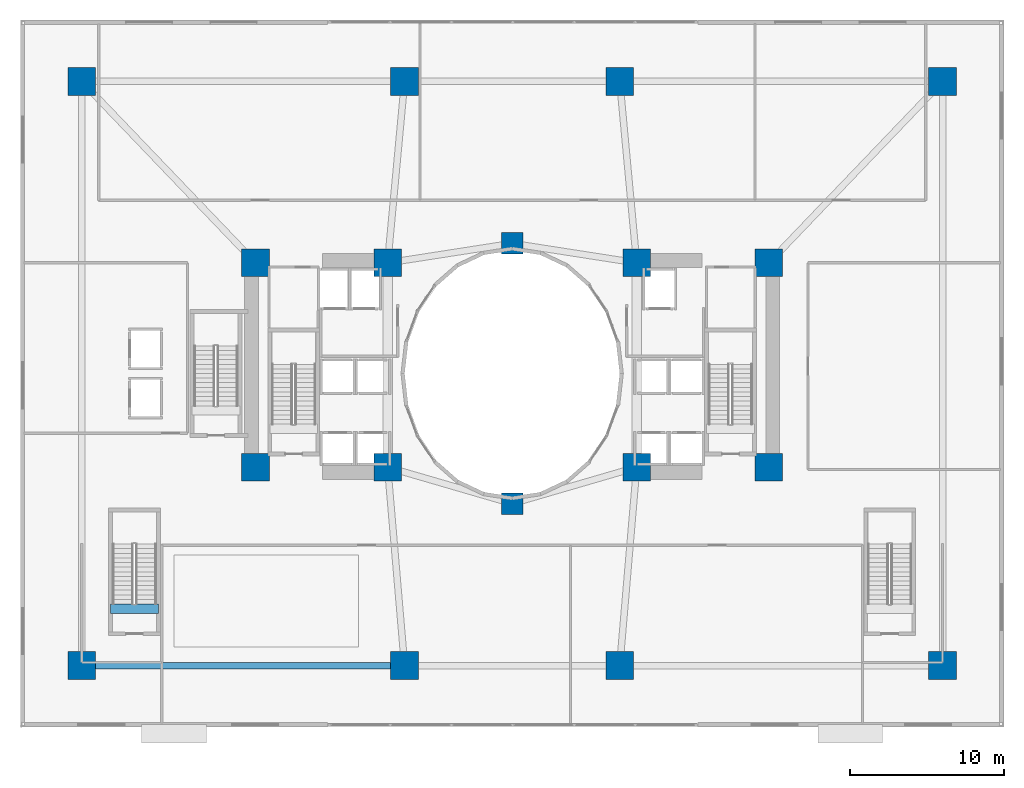
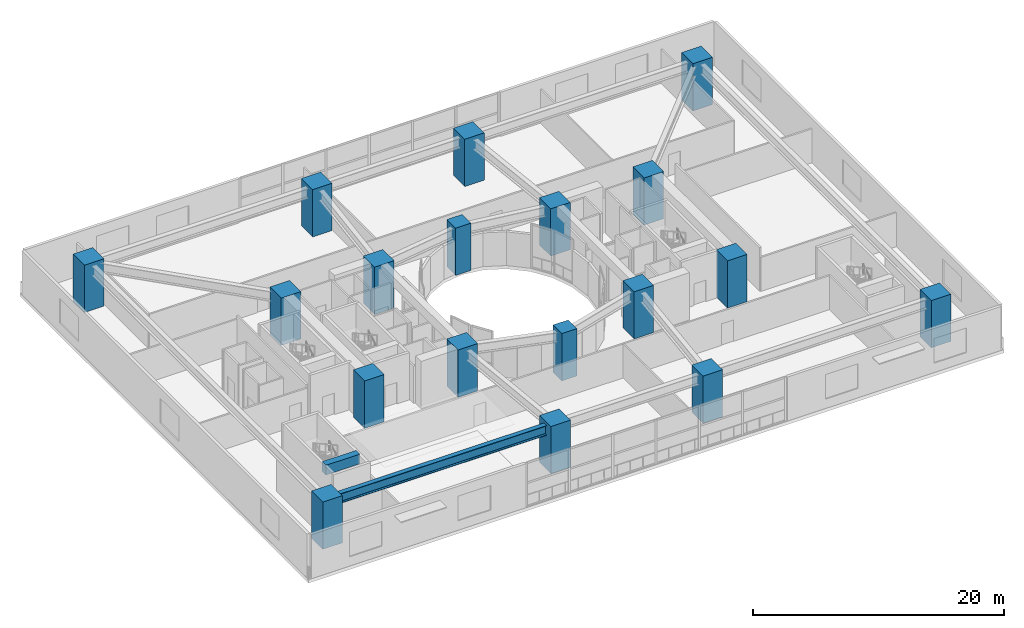
# One storey, part 1 of 25: 18 columns, 2 beams.
"""IFC4 building model written with IfcOpenShell, lengths in metres."""

from ifc_helpers import new_model, si_unit, direction, frame, origin, origin_2d, place, context, subcontext, project, spatial, rectangle, i_section, extrude, material, material_profile, profile_set, type_object, element, save


model = new_model("IFC4")

# Units and contexts
model_context = context("Model", 3, precision=1e-05, world=origin(), true_north=direction((0.0, 1.0)))
body_context = subcontext(model_context, "Body", "Model", "MODEL_VIEW")
ifc_project = project(units=[si_unit("LENGTHUNIT", "METRE"), si_unit("AREAUNIT", "SQUARE_METRE"), si_unit("VOLUMEUNIT", "CUBIC_METRE"), si_unit("PLANEANGLEUNIT", "RADIAN"), si_unit("MASSUNIT", "GRAM", prefix="KILO")], contexts=[model_context])

# Site, building, storey
site_placement = place(None, origin())
site = spatial("IfcSite", under=ifc_project, at=site_placement, CompositionType="ELEMENT")
building_placement = place(site_placement, origin())
building = spatial("IfcBuilding", under=site, at=building_placement, Name="Solvane Sanctuary Tower", CompositionType="ELEMENT")
storey_placement = place(building_placement, frame((0.0, 0.0, 4.60009765625)))
storey = spatial("IfcBuildingStorey", under=building, at=storey_placement, Name="L02", CompositionType="ELEMENT", Elevation=4.60009765625)

# Columns
ifc_material_1 = material(Name="Concrete C70/85", Category="concrete")
ifc_material_profile_1 = material_profile(ifc_material_1, rectangle(XDim=1.800048828125, YDim=1.800048828125, at=origin_2d()), Name="RC1800X1800")
ifc_profile_set_1 = profile_set([ifc_material_profile_1], Name="Concrete C70/85")
column_type_1 = type_object("IfcColumnType", Name="Column C-MEGA RC1800X1800", PredefinedType="COLUMN", material=ifc_profile_set_1)
for number, where, z_axis, x_axis, name in (
    (1, (15.300048828125, 16.89990234375, 0.0), (0.0, 0.0, 1.0), (1.0, 0.0, 0.0), "L02 Core Corner Column CW1"),
    (2, (23.89990234375, 16.89990234375, 0.0), (0.0, 0.0, 1.0), (1.0, 0.0, 0.0), "L02 Core Corner Column CW2"),
    (3, (23.89990234375, 30.199951171875, 0.0), (0.0, 0.0, 1.0), (1.0, 0.0, 0.0), "L02 Core Corner Column CW3"),
    (4, (15.300048828125, 30.199951171875, 0.0), (0.0, 0.0, 1.0), (1.0, 0.0, 0.0), "L02 Core Corner Column CW4"),
    (5, (40.10009765625, 16.89990234375, 0.0), (0.0, 0.0, 1.0), (1.0, 0.0, 0.0), "L02 Core Corner Column CE1"),
    (6, (48.699951171875, 16.89990234375, 0.0), (0.0, 0.0, 1.0), (1.0, 0.0, 0.0), "L02 Core Corner Column CE2"),
    (7, (48.699951171875, 30.199951171875, 0.0), (0.0, 0.0, 1.0), (1.0, 0.0, 0.0), "L02 Core Corner Column CE3"),
    (8, (40.10009765625, 30.199951171875, 0.0), (0.0, 0.0, 1.0), (1.0, 0.0, 0.0), "L02 Core Corner Column CE4"),
    (9, (4.0, 4.0, 0.0), (0.0, 0.0, 1.0), (1.0, 0.0, 0.0), "L02 Podium Mega-Column MC1"),
    (10, (25.0, 4.0, 0.0), (0.0, 0.0, 1.0), (1.0, 0.0, 0.0), "L02 Podium Mega-Column MC2"),
    (11, (39.0, 4.0, 0.0), (0.0, 0.0, 1.0), (1.0, 0.0, 0.0), "L02 Podium Mega-Column MC3"),
    (12, (60.0, 4.0, 0.0), (0.0, 0.0, 1.0), (1.0, 0.0, 0.0), "L02 Podium Mega-Column MC4"),
    (13, (60.0, 42.0, 0.0), (0.0, 0.0, 1.0), (1.0, 0.0, 0.0), "L02 Podium Mega-Column MC5"),
    (14, (39.0, 42.0, 0.0), (0.0, 0.0, 1.0), (1.0, 0.0, 0.0), "L02 Podium Mega-Column MC6"),
    (15, (25.0, 42.0, 0.0), (0.0, 0.0, 1.0), (1.0, 0.0, 0.0), "L02 Podium Mega-Column MC7"),
    (16, (4.0, 42.0, 0.0), (0.0, 0.0, 1.0), (1.0, 0.0, 0.0), "L02 Podium Mega-Column MC8"),
):
    element("IfcColumn", number, at=place(storey_placement, frame(where, z_axis=z_axis, x_axis=x_axis)), inside=storey, type_object=column_type_1, Name=name, PredefinedType="COLUMN", context=body_context, shape_type="SweptSolid", body=[
        extrude(rectangle(XDim=1.800048828125, YDim=1.800048828125, at=origin_2d()), origin(), (0.0, 0.0, 1.0), 4.599853515625),
    ])
ifc_material_profile_2 = material_profile(ifc_material_1, rectangle(XDim=1.39990234375, YDim=1.39990234375, at=origin_2d()), Name="RC1400X1400")
ifc_profile_set_2 = profile_set([ifc_material_profile_2], Name="Concrete C70/85")
column_type_2 = type_object("IfcColumnType", Name="Column C-POD-INT RC1400X1400", PredefinedType="COLUMN", material=ifc_profile_set_2)
for number, where, z_axis, x_axis, name in (
    (17, (32.0, 14.5400390625, 0.0), (0.0, 0.0, 1.0), (1.0, 0.0, 0.0), "L02 Podium Transfer Spine Column PCS"),
    (18, (32.0, 31.4599609375, 0.0), (0.0, 0.0, 1.0), (1.0, 0.0, 0.0), "L02 Podium Transfer Spine Column PCN"),
):
    element("IfcColumn", number, at=place(storey_placement, frame(where, z_axis=z_axis, x_axis=x_axis)), inside=storey, type_object=column_type_2, Name=name, PredefinedType="COLUMN", context=body_context, shape_type="SweptSolid", body=[
        extrude(rectangle(XDim=1.39990234375, YDim=1.39990234375, at=origin_2d()), origin(), (0.0, 0.0, 1.0), 4.599853515625),
    ])

# Beams
ifc_material_profile_3 = material_profile(ifc_material_1, rectangle(XDim=0.60009765625, YDim=0.949951171875, at=origin_2d()), Name="RC600X950")
ifc_profile_set_3 = profile_set([ifc_material_profile_3], Name="Concrete C70/85")
beam_type_1 = type_object("IfcBeamType", Name="Beam B-COUPLE RC600X950", PredefinedType="LINTEL", material=ifc_profile_set_3)
beam_1_placement = place(storey_placement, frame((5.8701171875, 7.69921875, 4.125), z_axis=(1.0, 0.0, 0.0), x_axis=(0.0, 1.0, 0.0)))
element("IfcBeam", 19, at=beam_1_placement, inside=storey, type_object=beam_type_1, Name="L02 ST-4 Stair Floor Landing Trimmer", PredefinedType="LINTEL", context=body_context, shape_type="SweptSolid", body=[
    extrude(rectangle(XDim=0.60009765625, YDim=0.949951171875, at=origin_2d()), origin(), (0.0, 0.0, 1.0), 3.119873046875),
])
ifc_material_2 = material(Name="Steel ASTM A913 Grade 65", Category="steel")
ifc_material_profile_4 = material_profile(ifc_material_2, i_section(OverallWidth=0.423095703125, OverallDepth=0.947998046875, WebThickness=0.02392578125, FlangeThickness=0.042724609375, FilletRadius=0.02392578125, at=origin_2d()), Name="W36X302")
ifc_profile_set_4 = profile_set([ifc_material_profile_4], Name="Steel ASTM A913 Grade 65")
beam_type_2 = type_object("IfcBeamType", Name="Beam B-POD-GIRD W36X302", PredefinedType="BEAM", material=ifc_profile_set_4)
beam_2_placement = place(storey_placement, frame((4.35009765625, 4.0, 3.803955078125), z_axis=(1.0, 0.0, 0.0), x_axis=(0.0, 1.0, 0.0)))
element("IfcBeam", 20, at=beam_2_placement, inside=storey, type_object=beam_type_2, Name="L02 Podium Primary Girder PG1", PredefinedType="BEAM", context=body_context, shape_type="SweptSolid", body=[
    extrude(i_section(OverallWidth=0.423095703125, OverallDepth=0.947998046875, WebThickness=0.02392578125, FlangeThickness=0.042724609375, FilletRadius=0.02392578125, at=origin_2d()), origin(), (0.0, 0.0, 1.0), 20.2998046875),
])

save(model, "model.ifc")
